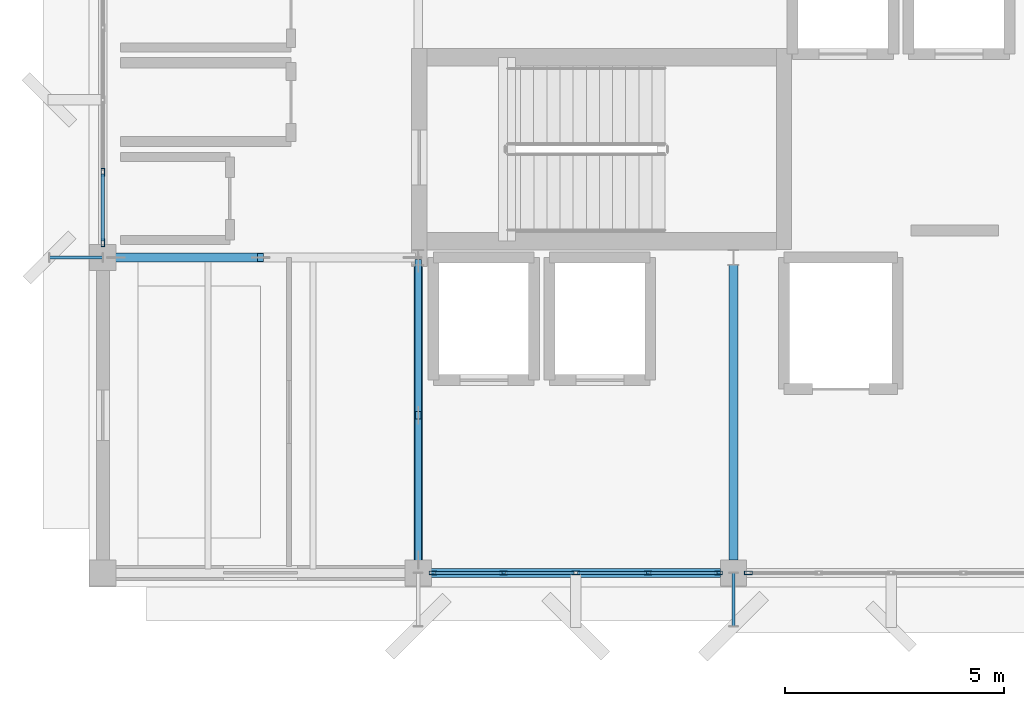
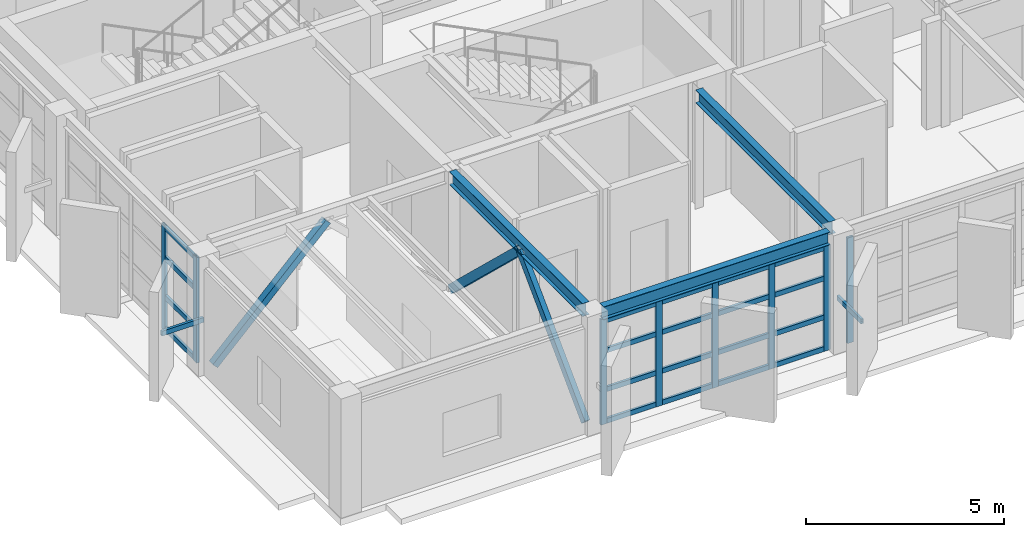
# One storey, part 3 of 15: 33 members, 3 beams, 3 elements without a shape of their own.
"""IFC4 building model written with IfcOpenShell, lengths in metres."""

from ifc_helpers import new_model, si_unit, direction, frame, origin, origin_2d, place, context, subcontext, project, spatial, hollow_rectangle, i_section, extrude, material, layer, layer_set, material_profile, profile_set, type_object, element, aggregate, save


model = new_model("IFC4")

# Units and contexts
model_context = context("Model", 3, precision=1e-05, world=origin(), true_north=direction((0.0, 1.0)))
body_context = subcontext(model_context, "Body", "Model", "MODEL_VIEW")
ifc_project = project(units=[si_unit("LENGTHUNIT", "METRE"), si_unit("AREAUNIT", "SQUARE_METRE"), si_unit("VOLUMEUNIT", "CUBIC_METRE"), si_unit("PLANEANGLEUNIT", "RADIAN"), si_unit("MASSUNIT", "GRAM", prefix="KILO")], contexts=[model_context])

# Site, building, storey
site_placement = place(None, origin())
site = spatial("IfcSite", under=ifc_project, at=site_placement, CompositionType="ELEMENT")
building_placement = place(site_placement, origin())
building = spatial("IfcBuilding", under=site, at=building_placement, Name="Kandorven Conservatory and Botanical Research Centre", CompositionType="ELEMENT")
storey_placement = place(building_placement, frame((0.0, 0.0, 48.300048828125)))
storey = spatial("IfcBuildingStorey", under=building, at=storey_placement, Name="L12", CompositionType="ELEMENT", Elevation=48.300048828125)

# Beams
ifc_material_1 = material(Name="Steel S355 (IS 2062 E350)", Category="steel")
ifc_material_profile_1 = material_profile(ifc_material_1, i_section(OverallWidth=0.199951171875, OverallDepth=0.39990234375, WebThickness=0.008544921875, FlangeThickness=0.012939453125, at=origin_2d()))
ifc_profile_set_1 = profile_set([ifc_material_profile_1], Name="Steel S355 (IS 2062 E350)")
beam_type = type_object("IfcBeamType", Name="Beam_FG-03", PredefinedType="USERDEFINED", material=ifc_profile_set_1)
beam_placement = place(storey_placement, frame((13.489990234375, 6.0, 3.47998046875), z_axis=(1.0, 0.0, 0.0), x_axis=(0.0, 1.0, 0.0)))
element("IfcBeam", 1, at=beam_placement, inside=storey, type_object=beam_type, Name="Primary girder FG-03 TWR L12", ObjectType="GIRDER", PredefinedType="USERDEFINED", context=body_context, shape_type="SweptSolid", body=[
    extrude(i_section(OverallWidth=0.199951171875, OverallDepth=0.39990234375, WebThickness=0.008544921875, FlangeThickness=0.012939453125, at=origin_2d()), origin(), (0.0, 0.0, 1.0), 6.6201171875),
])
for number, where, z_axis, x_axis, name in (
    (2, (13.199951171875, 6.2900390625, 3.47998046875), (0.0, 1.0, 0.0), (-1.0, 0.0, 0.0), "Primary girder FG-03 TWR L12"),
    (3, (20.39990234375, 6.2900390625, 3.47998046875), (0.0, 1.0, 0.0), (-1.0, 0.0, 0.0), "Primary girder FG-03 TWR L12"),
):
    element("IfcBeam", number, at=place(storey_placement, frame(where, z_axis=z_axis, x_axis=x_axis)), inside=storey, type_object=beam_type, Name=name, ObjectType="GIRDER", PredefinedType="USERDEFINED", context=body_context, shape_type="SweptSolid", body=[
        extrude(i_section(OverallWidth=0.199951171875, OverallDepth=0.39990234375, WebThickness=0.008544921875, FlangeThickness=0.012939453125, at=origin_2d()), origin(), (0.0, 0.0, 1.0), 6.744873046875),
    ])

# Curtain wall, members
ifc_material_2 = material(Name="Bronze anodised thermally broken aluminium", Category="aluminium")
ifc_layer = layer(ifc_material_2, 0.179931640625)
ifc_layer_set = layer_set([ifc_layer], Name="Bronze anodised thermally broken aluminium")
curtain_wall_type = type_object("IfcCurtainWallType", Name="CW_Unitised", PredefinedType="USERDEFINED", material=ifc_layer_set)
curtain_wall_1_placement = place(storey_placement, origin())
curtain_wall_1 = element("IfcCurtainWall", 4, at=curtain_wall_1_placement, inside=storey, type_object=curtain_wall_type, Name="Tower laboratory curtain wall CW-TWR-S-L12-2", ObjectType="UNITISED GLAZING", PredefinedType="USERDEFINED")
ifc_material_3 = material(Name="Bronze anodised thermally broken aluminium", Category="aluminium")
ifc_material_profile_2 = material_profile(ifc_material_3, hollow_rectangle(XDim=0.080078125, YDim=0.179931640625, WallThickness=0.006103515625, at=origin_2d()))
ifc_profile_set_2 = profile_set([ifc_material_profile_2], Name="Bronze anodised thermally broken aluminium")
member_type_1 = type_object("IfcMemberType", Name="CW_Mullion", PredefinedType="MULLION", material=ifc_profile_set_2)
member_1_placement = place(storey_placement, frame((13.5400390625, 6.0, 0.0), z_axis=(0.0, 0.0, 1.0), x_axis=(0.0, 1.0, 0.0)))
member_1 = element("IfcMember", 5, at=member_1_placement, type_object=member_type_1, Name="CW-01 mullion 1", PredefinedType="MULLION", context=body_context, shape_type="SweptSolid", body=[
    extrude(hollow_rectangle(XDim=0.080078125, YDim=0.179931640625, WallThickness=0.006103515625, at=origin_2d()), origin(), (0.0, 0.0, 1.0), 3.260009765625),
])
member_2_placement = place(storey_placement, frame((15.14990234375, 6.0, 0.0), z_axis=(0.0, 0.0, 1.0), x_axis=(0.0, 1.0, 0.0)))
member_2 = element("IfcMember", 6, at=member_2_placement, type_object=member_type_1, Name="CW-01 mullion 2", PredefinedType="MULLION", context=body_context, shape_type="SweptSolid", body=[
    extrude(hollow_rectangle(XDim=0.080078125, YDim=0.179931640625, WallThickness=0.006103515625, at=origin_2d()), origin(), (0.0, 0.0, 1.0), 3.260009765625),
])
member_3_placement = place(storey_placement, frame((16.800048828125, 6.0, 0.0), z_axis=(0.0, 0.0, 1.0), x_axis=(0.0, 1.0, 0.0)))
member_3 = element("IfcMember", 7, at=member_3_placement, type_object=member_type_1, Name="CW-01 mullion 3", PredefinedType="MULLION", context=body_context, shape_type="SweptSolid", body=[
    extrude(hollow_rectangle(XDim=0.080078125, YDim=0.179931640625, WallThickness=0.006103515625, at=origin_2d()), origin(), (0.0, 0.0, 1.0), 3.260009765625),
])
member_4_placement = place(storey_placement, frame((18.449951171875, 6.0, 0.0), z_axis=(0.0, 0.0, 1.0), x_axis=(0.0, 1.0, 0.0)))
member_4 = element("IfcMember", 8, at=member_4_placement, type_object=member_type_1, Name="CW-01 mullion 4", PredefinedType="MULLION", context=body_context, shape_type="SweptSolid", body=[
    extrude(hollow_rectangle(XDim=0.080078125, YDim=0.179931640625, WallThickness=0.006103515625, at=origin_2d()), origin(), (0.0, 0.0, 1.0), 3.260009765625),
])
member_5_placement = place(storey_placement, frame((20.06005859375, 6.0, 0.0), z_axis=(0.0, 0.0, 1.0), x_axis=(0.0, 1.0, 0.0)))
member_5 = element("IfcMember", 9, at=member_5_placement, type_object=member_type_1, Name="CW-01 mullion 5", PredefinedType="MULLION", context=body_context, shape_type="SweptSolid", body=[
    extrude(hollow_rectangle(XDim=0.080078125, YDim=0.179931640625, WallThickness=0.006103515625, at=origin_2d()), origin(), (0.0, 0.0, 1.0), 3.260009765625),
])

# Curtain wall, member
curtain_wall_2_placement = place(storey_placement, origin())
curtain_wall_2 = element("IfcCurtainWall", 10, at=curtain_wall_2_placement, inside=storey, type_object=curtain_wall_type, Name="Tower laboratory curtain wall CW-TWR-S-L12-3", ObjectType="UNITISED GLAZING", PredefinedType="USERDEFINED")
member_6_placement = place(storey_placement, frame((20.739990234375, 6.0, 0.0), z_axis=(0.0, 0.0, 1.0), x_axis=(0.0, 1.0, 0.0)))
member_6 = element("IfcMember", 11, at=member_6_placement, type_object=member_type_1, Name="CW-01 mullion 1", PredefinedType="MULLION", context=body_context, shape_type="SweptSolid", body=[
    extrude(hollow_rectangle(XDim=0.080078125, YDim=0.179931640625, WallThickness=0.006103515625, at=origin_2d()), origin(), (0.0, 0.0, 1.0), 3.260009765625),
])
aggregate(curtain_wall_2, [member_6])

# Curtain wall, members
curtain_wall_3_placement = place(storey_placement, origin())
curtain_wall_3 = element("IfcCurtainWall", 12, at=curtain_wall_3_placement, inside=storey, type_object=curtain_wall_type, Name="Tower laboratory curtain wall CW-TWR-W-L12-2", ObjectType="UNITISED GLAZING", PredefinedType="USERDEFINED")
member_7_placement = place(storey_placement, frame((6.0, 13.5400390625, 0.0), z_axis=(0.0, 0.0, 1.0), x_axis=(-1.0, 0.0, 0.0)))
member_7 = element("IfcMember", 13, at=member_7_placement, type_object=member_type_1, Name="CW-01 mullion 1", PredefinedType="MULLION", context=body_context, shape_type="SweptSolid", body=[
    extrude(hollow_rectangle(XDim=0.080078125, YDim=0.179931640625, WallThickness=0.006103515625, at=origin_2d()), origin(), (0.0, 0.0, 1.0), 3.260009765625),
])
member_8_placement = place(storey_placement, frame((6.0, 15.14990234375, 0.0), z_axis=(0.0, 0.0, 1.0), x_axis=(-1.0, 0.0, 0.0)))
member_8 = element("IfcMember", 14, at=member_8_placement, type_object=member_type_1, Name="CW-01 mullion 2", PredefinedType="MULLION", context=body_context, shape_type="SweptSolid", body=[
    extrude(hollow_rectangle(XDim=0.080078125, YDim=0.179931640625, WallThickness=0.006103515625, at=origin_2d()), origin(), (0.0, 0.0, 1.0), 3.260009765625),
])

# Member
ifc_material_4 = material(Name="Bronze anodised thermally broken aluminium", Category="aluminium")
ifc_material_profile_3 = material_profile(ifc_material_4, hollow_rectangle(XDim=0.074951171875, YDim=0.14990234375, WallThickness=0.006103515625, at=origin_2d()))
ifc_profile_set_3 = profile_set([ifc_material_profile_3], Name="Bronze anodised thermally broken aluminium")
member_type_2 = type_object("IfcMemberType", Name="CW_Transom", PredefinedType="USERDEFINED", material=ifc_profile_set_3)
member_9_placement = place(storey_placement, frame((13.580078125, 6.0, 0.074951171875), z_axis=(1.0, 0.0, 0.0), x_axis=(0.0, 1.0, 0.0)))
member_9 = element("IfcMember", 15, at=member_9_placement, type_object=member_type_2, Name="CW-01 transom 1.1", ObjectType="TRANSOM", PredefinedType="USERDEFINED", context=body_context, shape_type="SweptSolid", body=[
    extrude(hollow_rectangle(XDim=0.074951171875, YDim=0.14990234375, WallThickness=0.006103515625, at=origin_2d()), origin(), (0.0, 0.0, 1.0), 1.530029296875),
])

member_10_placement = place(storey_placement, frame((13.580078125, 6.0, 1.050048828125), z_axis=(1.0, 0.0, 0.0), x_axis=(0.0, 1.0, 0.0)))
member_10 = element("IfcMember", 16, at=member_10_placement, type_object=member_type_2, Name="CW-01 transom 1.2", ObjectType="TRANSOM", PredefinedType="USERDEFINED", context=body_context, shape_type="SweptSolid", body=[
    extrude(hollow_rectangle(XDim=0.074951171875, YDim=0.14990234375, WallThickness=0.006103515625, at=origin_2d()), origin(), (0.0, 0.0, 1.0), 1.530029296875),
])

member_11_placement = place(storey_placement, frame((13.580078125, 6.0, 2.25), z_axis=(1.0, 0.0, 0.0), x_axis=(0.0, 1.0, 0.0)))
member_11 = element("IfcMember", 17, at=member_11_placement, type_object=member_type_2, Name="CW-01 transom 1.3", ObjectType="TRANSOM", PredefinedType="USERDEFINED", context=body_context, shape_type="SweptSolid", body=[
    extrude(hollow_rectangle(XDim=0.074951171875, YDim=0.14990234375, WallThickness=0.006103515625, at=origin_2d()), origin(), (0.0, 0.0, 1.0), 1.530029296875),
])

member_12_placement = place(storey_placement, frame((13.580078125, 6.0, 3.18505859375), z_axis=(1.0, 0.0, 0.0), x_axis=(0.0, 1.0, 0.0)))
member_12 = element("IfcMember", 18, at=member_12_placement, type_object=member_type_2, Name="CW-01 transom 1.4", ObjectType="TRANSOM", PredefinedType="USERDEFINED", context=body_context, shape_type="SweptSolid", body=[
    extrude(hollow_rectangle(XDim=0.074951171875, YDim=0.14990234375, WallThickness=0.006103515625, at=origin_2d()), origin(), (0.0, 0.0, 1.0), 1.530029296875),
])

member_13_placement = place(storey_placement, frame((15.18994140625, 6.0, 0.074951171875), z_axis=(1.0, 0.0, 0.0), x_axis=(0.0, 1.0, 0.0)))
member_13 = element("IfcMember", 19, at=member_13_placement, type_object=member_type_2, Name="CW-01 transom 2.1", ObjectType="TRANSOM", PredefinedType="USERDEFINED", context=body_context, shape_type="SweptSolid", body=[
    extrude(hollow_rectangle(XDim=0.074951171875, YDim=0.14990234375, WallThickness=0.006103515625, at=origin_2d()), origin(), (0.0, 0.0, 1.0), 1.570068359375),
])

member_14_placement = place(storey_placement, frame((15.18994140625, 6.0, 1.050048828125), z_axis=(1.0, 0.0, 0.0), x_axis=(0.0, 1.0, 0.0)))
member_14 = element("IfcMember", 20, at=member_14_placement, type_object=member_type_2, Name="CW-01 transom 2.2", ObjectType="TRANSOM", PredefinedType="USERDEFINED", context=body_context, shape_type="SweptSolid", body=[
    extrude(hollow_rectangle(XDim=0.074951171875, YDim=0.14990234375, WallThickness=0.006103515625, at=origin_2d()), origin(), (0.0, 0.0, 1.0), 1.570068359375),
])

member_15_placement = place(storey_placement, frame((15.18994140625, 6.0, 2.25), z_axis=(1.0, 0.0, 0.0), x_axis=(0.0, 1.0, 0.0)))
member_15 = element("IfcMember", 21, at=member_15_placement, type_object=member_type_2, Name="CW-01 transom 2.3", ObjectType="TRANSOM", PredefinedType="USERDEFINED", context=body_context, shape_type="SweptSolid", body=[
    extrude(hollow_rectangle(XDim=0.074951171875, YDim=0.14990234375, WallThickness=0.006103515625, at=origin_2d()), origin(), (0.0, 0.0, 1.0), 1.570068359375),
])

member_16_placement = place(storey_placement, frame((15.18994140625, 6.0, 3.18505859375), z_axis=(1.0, 0.0, 0.0), x_axis=(0.0, 1.0, 0.0)))
member_16 = element("IfcMember", 22, at=member_16_placement, type_object=member_type_2, Name="CW-01 transom 2.4", ObjectType="TRANSOM", PredefinedType="USERDEFINED", context=body_context, shape_type="SweptSolid", body=[
    extrude(hollow_rectangle(XDim=0.074951171875, YDim=0.14990234375, WallThickness=0.006103515625, at=origin_2d()), origin(), (0.0, 0.0, 1.0), 1.570068359375),
])

member_17_placement = place(storey_placement, frame((16.840087890625, 6.0, 0.074951171875), z_axis=(1.0, 0.0, 0.0), x_axis=(0.0, 1.0, 0.0)))
member_17 = element("IfcMember", 23, at=member_17_placement, type_object=member_type_2, Name="CW-01 transom 3.1", ObjectType="TRANSOM", PredefinedType="USERDEFINED", context=body_context, shape_type="SweptSolid", body=[
    extrude(hollow_rectangle(XDim=0.074951171875, YDim=0.14990234375, WallThickness=0.006103515625, at=origin_2d()), origin(), (0.0, 0.0, 1.0), 1.56982421875),
])

member_18_placement = place(storey_placement, frame((16.840087890625, 6.0, 1.050048828125), z_axis=(1.0, 0.0, 0.0), x_axis=(0.0, 1.0, 0.0)))
member_18 = element("IfcMember", 24, at=member_18_placement, type_object=member_type_2, Name="CW-01 transom 3.2", ObjectType="TRANSOM", PredefinedType="USERDEFINED", context=body_context, shape_type="SweptSolid", body=[
    extrude(hollow_rectangle(XDim=0.074951171875, YDim=0.14990234375, WallThickness=0.006103515625, at=origin_2d()), origin(), (0.0, 0.0, 1.0), 1.56982421875),
])

member_19_placement = place(storey_placement, frame((16.840087890625, 6.0, 2.25), z_axis=(1.0, 0.0, 0.0), x_axis=(0.0, 1.0, 0.0)))
member_19 = element("IfcMember", 25, at=member_19_placement, type_object=member_type_2, Name="CW-01 transom 3.3", ObjectType="TRANSOM", PredefinedType="USERDEFINED", context=body_context, shape_type="SweptSolid", body=[
    extrude(hollow_rectangle(XDim=0.074951171875, YDim=0.14990234375, WallThickness=0.006103515625, at=origin_2d()), origin(), (0.0, 0.0, 1.0), 1.56982421875),
])

member_20_placement = place(storey_placement, frame((16.840087890625, 6.0, 3.18505859375), z_axis=(1.0, 0.0, 0.0), x_axis=(0.0, 1.0, 0.0)))
member_20 = element("IfcMember", 26, at=member_20_placement, type_object=member_type_2, Name="CW-01 transom 3.4", ObjectType="TRANSOM", PredefinedType="USERDEFINED", context=body_context, shape_type="SweptSolid", body=[
    extrude(hollow_rectangle(XDim=0.074951171875, YDim=0.14990234375, WallThickness=0.006103515625, at=origin_2d()), origin(), (0.0, 0.0, 1.0), 1.56982421875),
])

member_21_placement = place(storey_placement, frame((18.489990234375, 6.0, 0.074951171875), z_axis=(1.0, 0.0, 0.0), x_axis=(0.0, 1.0, 0.0)))
member_21 = element("IfcMember", 27, at=member_21_placement, type_object=member_type_2, Name="CW-01 transom 4.1", ObjectType="TRANSOM", PredefinedType="USERDEFINED", context=body_context, shape_type="SweptSolid", body=[
    extrude(hollow_rectangle(XDim=0.074951171875, YDim=0.14990234375, WallThickness=0.006103515625, at=origin_2d()), origin(), (0.0, 0.0, 1.0), 1.530029296875),
])

member_22_placement = place(storey_placement, frame((18.489990234375, 6.0, 1.050048828125), z_axis=(1.0, 0.0, 0.0), x_axis=(0.0, 1.0, 0.0)))
member_22 = element("IfcMember", 28, at=member_22_placement, type_object=member_type_2, Name="CW-01 transom 4.2", ObjectType="TRANSOM", PredefinedType="USERDEFINED", context=body_context, shape_type="SweptSolid", body=[
    extrude(hollow_rectangle(XDim=0.074951171875, YDim=0.14990234375, WallThickness=0.006103515625, at=origin_2d()), origin(), (0.0, 0.0, 1.0), 1.530029296875),
])

member_23_placement = place(storey_placement, frame((18.489990234375, 6.0, 2.25), z_axis=(1.0, 0.0, 0.0), x_axis=(0.0, 1.0, 0.0)))
member_23 = element("IfcMember", 29, at=member_23_placement, type_object=member_type_2, Name="CW-01 transom 4.3", ObjectType="TRANSOM", PredefinedType="USERDEFINED", context=body_context, shape_type="SweptSolid", body=[
    extrude(hollow_rectangle(XDim=0.074951171875, YDim=0.14990234375, WallThickness=0.006103515625, at=origin_2d()), origin(), (0.0, 0.0, 1.0), 1.530029296875),
])

member_24_placement = place(storey_placement, frame((18.489990234375, 6.0, 3.18505859375), z_axis=(1.0, 0.0, 0.0), x_axis=(0.0, 1.0, 0.0)))
member_24 = element("IfcMember", 30, at=member_24_placement, type_object=member_type_2, Name="CW-01 transom 4.4", ObjectType="TRANSOM", PredefinedType="USERDEFINED", context=body_context, shape_type="SweptSolid", body=[
    extrude(hollow_rectangle(XDim=0.074951171875, YDim=0.14990234375, WallThickness=0.006103515625, at=origin_2d()), origin(), (0.0, 0.0, 1.0), 1.530029296875),
])

aggregate(curtain_wall_1, [member_1, member_2, member_3, member_4, member_5, member_9, member_10, member_11, member_12, member_13, member_14, member_15, member_16, member_17, member_18, member_19, member_20, member_21, member_22, member_23, member_24])

member_25_placement = place(storey_placement, frame((6.0, 13.580078125, 0.074951171875), z_axis=(0.0, 1.0, 0.0), x_axis=(-1.0, 0.0, 0.0)))
member_25 = element("IfcMember", 31, at=member_25_placement, type_object=member_type_2, Name="CW-01 transom 1.1", ObjectType="TRANSOM", PredefinedType="USERDEFINED", context=body_context, shape_type="SweptSolid", body=[
    extrude(hollow_rectangle(XDim=0.074951171875, YDim=0.14990234375, WallThickness=0.006103515625, at=origin_2d()), origin(), (0.0, 0.0, 1.0), 1.530029296875),
])

member_26_placement = place(storey_placement, frame((6.0, 13.580078125, 1.050048828125), z_axis=(0.0, 1.0, 0.0), x_axis=(-1.0, 0.0, 0.0)))
member_26 = element("IfcMember", 32, at=member_26_placement, type_object=member_type_2, Name="CW-01 transom 1.2", ObjectType="TRANSOM", PredefinedType="USERDEFINED", context=body_context, shape_type="SweptSolid", body=[
    extrude(hollow_rectangle(XDim=0.074951171875, YDim=0.14990234375, WallThickness=0.006103515625, at=origin_2d()), origin(), (0.0, 0.0, 1.0), 1.530029296875),
])

member_27_placement = place(storey_placement, frame((6.0, 13.580078125, 2.25), z_axis=(0.0, 1.0, 0.0), x_axis=(-1.0, 0.0, 0.0)))
member_27 = element("IfcMember", 33, at=member_27_placement, type_object=member_type_2, Name="CW-01 transom 1.3", ObjectType="TRANSOM", PredefinedType="USERDEFINED", context=body_context, shape_type="SweptSolid", body=[
    extrude(hollow_rectangle(XDim=0.074951171875, YDim=0.14990234375, WallThickness=0.006103515625, at=origin_2d()), origin(), (0.0, 0.0, 1.0), 1.530029296875),
])

member_28_placement = place(storey_placement, frame((6.0, 13.580078125, 3.18505859375), z_axis=(0.0, 1.0, 0.0), x_axis=(-1.0, 0.0, 0.0)))
member_28 = element("IfcMember", 34, at=member_28_placement, type_object=member_type_2, Name="CW-01 transom 1.4", ObjectType="TRANSOM", PredefinedType="USERDEFINED", context=body_context, shape_type="SweptSolid", body=[
    extrude(hollow_rectangle(XDim=0.074951171875, YDim=0.14990234375, WallThickness=0.006103515625, at=origin_2d()), origin(), (0.0, 0.0, 1.0), 1.530029296875),
])

aggregate(curtain_wall_3, [member_7, member_8, member_25, member_26, member_27, member_28])

# Members
ifc_material_5 = material(Name="Steel S355 (IS 2062 E350)", Category="steel")
ifc_material_profile_4 = material_profile(ifc_material_5, hollow_rectangle(XDim=0.199951171875, YDim=0.199951171875, WallThickness=0.010009765625, at=origin_2d()))
ifc_profile_set_4 = profile_set([ifc_material_profile_4], Name="Steel S355 (IS 2062 E350)")
member_type_3 = type_object("IfcMemberType", Name="Mem_BR-03", PredefinedType="BRACE", material=ifc_profile_set_4)
member_29_placement = place(storey_placement, frame((6.300048828125, 13.199951171875, 0.0), z_axis=(0.706035191316, 0.0, 0.708176749564), x_axis=(0.0, 1.0, 0.0)))
element("IfcMember", 35, at=member_29_placement, inside=storey, type_object=member_type_3, Name="Tower lateral chevron brace BR-03 L12 W", PredefinedType="BRACE", context=body_context, shape_type="SweptSolid", body=[
    extrude(hollow_rectangle(XDim=0.199951171875, YDim=0.199951171875, WallThickness=0.010009765625, at=origin_2d()), origin(), (0.0, 0.0, 1.0), 4.674072265625),
])
ifc_material_6 = material(Name="Steel S355 (IS 2062 E350)", Category="steel")
ifc_material_profile_5 = material_profile(ifc_material_6, hollow_rectangle(XDim=0.14990234375, YDim=0.25, WallThickness=0.010009765625, at=origin_2d()))
ifc_profile_set_5 = profile_set([ifc_material_profile_5], Name="Steel S355 (IS 2062 E350)")
member_type_4 = type_object("IfcMemberType", Name="Mem_BR-04", PredefinedType="BRACE", material=ifc_profile_set_5)
member_30_placement = place(storey_placement, frame((13.199951171875, 6.300048828125, 0.0), z_axis=(0.0, 0.706035191316, 0.708176749564), x_axis=(-1.0, 0.0, 0.0)))
element("IfcMember", 36, at=member_30_placement, inside=storey, type_object=member_type_4, Name="Tower lateral chevron brace BR-04 L12 S", PredefinedType="BRACE", context=body_context, shape_type="SweptSolid", body=[
    extrude(hollow_rectangle(XDim=0.14990234375, YDim=0.25, WallThickness=0.010009765625, at=origin_2d()), origin(), (0.0, 0.0, 1.0), 4.674072265625),
])
member_31_placement = place(storey_placement, frame((13.199951171875, 13.074951171875, 0.0), z_axis=(0.0, -0.724067758373, 0.689728846204), x_axis=(1.0, 0.0, 0.0)))
element("IfcMember", 37, at=member_31_placement, inside=storey, type_object=member_type_4, Name="Tower lateral chevron brace BR-04 L12 N", PredefinedType="BRACE", context=body_context, shape_type="SweptSolid", body=[
    extrude(hollow_rectangle(XDim=0.14990234375, YDim=0.25, WallThickness=0.010009765625, at=origin_2d()), origin(), (0.0, 0.0, 1.0), 4.799072265625),
])
ifc_material_7 = material(Name="Steel S355 (IS 2062 E350)", Category="steel")
ifc_material_profile_6 = material_profile(ifc_material_7, hollow_rectangle(XDim=0.074951171875, YDim=0.14990234375, WallThickness=0.006103515625, at=origin_2d()))
ifc_profile_set_6 = profile_set([ifc_material_profile_6], Name="Steel S355 (IS 2062 E350)")
member_type_5 = type_object("IfcMemberType", Name="Mem_SF-01", PredefinedType="STRUT", material=ifc_profile_set_6)
for number, where, z_axis, x_axis, name in (
    (38, (20.39990234375, 6.0, 1.5), (0.0, -1.0, 0.0), (1.0, 0.0, 0.0), "Solar fin steel outrigger strut SF-01 #99"),
    (39, (6.0, 13.199951171875, 1.5), (-1.0, 0.0, 0.0), (0.0, -1.0, 0.0), "Solar fin steel outrigger strut SF-01 #101"),
):
    element("IfcMember", number, at=place(storey_placement, frame(where, z_axis=z_axis, x_axis=x_axis)), inside=storey, type_object=member_type_5, Name=name, PredefinedType="STRUT", context=body_context, shape_type="SweptSolid", body=[
        extrude(hollow_rectangle(XDim=0.074951171875, YDim=0.14990234375, WallThickness=0.006103515625, at=origin_2d()), origin(), (0.0, 0.0, 1.0), 1.219970703125),
    ])

save(model, "model.ifc")
